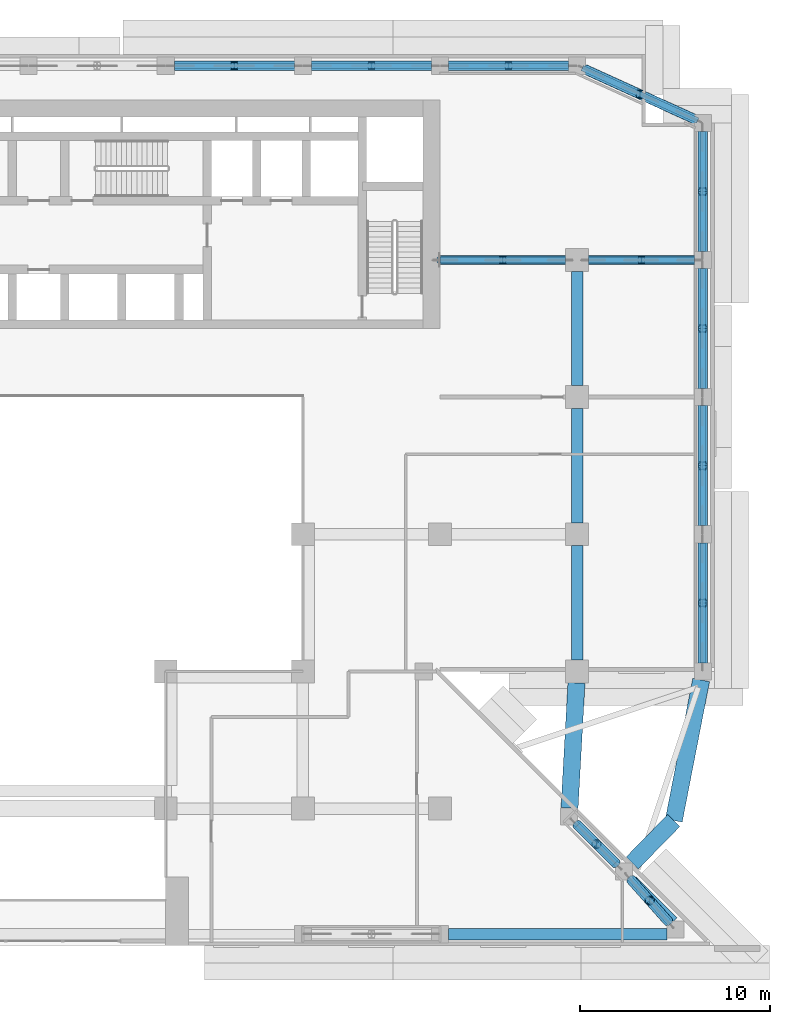
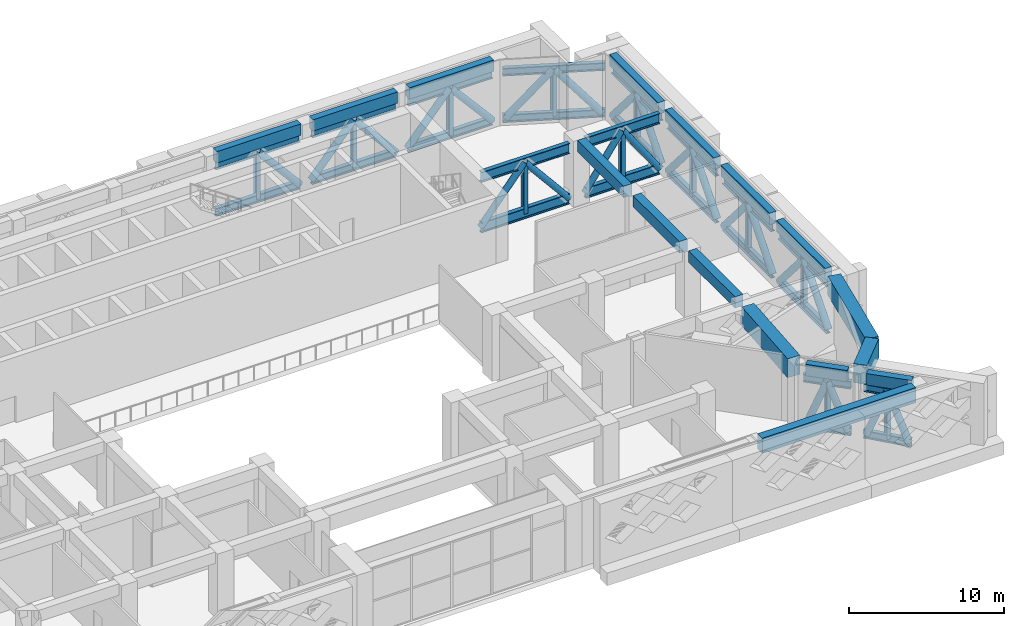
# One storey, part 7 of 19: 59 members, 16 beams.
"""IFC4 building model written with IfcOpenShell, lengths in metres."""

from ifc_helpers import new_model, si_unit, direction, frame, origin, origin_2d, place, context, subcontext, project, spatial, rectangle, hollow_circle, i_section, extrude, source, transform, mapped, material, material_profile, profile_set, type_object, element, save


model = new_model("IFC4")

# Units and contexts
model_context = context("Model", 3, precision=1e-05, world=origin(), true_north=direction((0.0, 1.0)))
body_context = subcontext(model_context, "Body", "Model", "MODEL_VIEW")
ifc_project = project(units=[si_unit("LENGTHUNIT", "METRE"), si_unit("AREAUNIT", "SQUARE_METRE"), si_unit("VOLUMEUNIT", "CUBIC_METRE"), si_unit("PLANEANGLEUNIT", "RADIAN"), si_unit("MASSUNIT", "GRAM", prefix="KILO")], contexts=[model_context])

# Site, building, storey
site_placement = place(None, origin())
site = spatial("IfcSite", under=ifc_project, at=site_placement, CompositionType="ELEMENT")
building_placement = place(site_placement, origin())
building = spatial("IfcBuilding", under=site, at=building_placement, Name="Saffron Iwan Residences", CompositionType="ELEMENT")
storey_placement = place(building_placement, frame((0.0, 0.0, 107.5)))
storey = spatial("IfcBuildingStorey", under=building, at=storey_placement, Name="L28", CompositionType="ELEMENT", Elevation=107.5)

# Beams
ifc_material_1 = material(Name="Concrete C60/75", Category="concrete")
ifc_material_profile_1 = material_profile(ifc_material_1, rectangle(XDim=0.5, YDim=0.89990234375, at=origin_2d()), Name="RC 500x900")
ifc_profile_set_1 = profile_set([ifc_material_profile_1], Name="Concrete C60/75")
beam_type_1 = type_object("IfcBeamType", Name="SPANDREL BEAM RC 500x900 C60/75 TOP 5200", PredefinedType="SPANDREL", material=ifc_profile_set_1)
shared_shape_1 = source(origin(), body_context, "Body", "SweptSolid", [
    extrude(rectangle(XDim=0.5, YDim=0.89990234375, at=origin_2d()), origin(), (0.0, 0.0, 1.0), 6.300048828125),
])
for number, where, z_axis, x_axis, name in (
    (1, (85.800048828125, 54.75, 4.75), (0.0, -1.0, 0.0), (1.0, 0.0, 0.0), "Spandrel beam"),
    (2, (85.800048828125, 61.949951171875, 4.75), (0.0, -1.0, 0.0), (1.0, 0.0, 0.0), "Spandrel beam"),
    (3, (85.800048828125, 76.35009765625, 4.75), (0.0, -1.0, 0.0), (1.0, 0.0, 0.0), "Spandrel beam"),
    (4, (58.050048828125, 79.800048828125, 4.75), (1.0, 0.0, 0.0), (0.0, 1.0, 0.0), "Spandrel beam"),
    (5, (65.25, 79.800048828125, 4.75), (1.0, 0.0, 0.0), (0.0, 1.0, 0.0), "Spandrel beam"),
    (6, (72.449951171875, 79.800048828125, 4.75), (1.0, 0.0, 0.0), (0.0, 1.0, 0.0), "Spandrel beam"),
):
    element("IfcBeam", number, at=place(storey_placement, frame(where, z_axis=z_axis, x_axis=x_axis)), inside=storey, type_object=beam_type_1, Name=name, PredefinedType="SPANDREL", context=body_context, shape_type="MappedRepresentation", body=[
        mapped(shared_shape_1, transform((0.0, 0.0, 0.0))),
    ])
shared_shape_2 = source(origin(), body_context, "Body", "SweptSolid", [
    extrude(rectangle(XDim=0.5, YDim=0.89990234375, at=origin_2d()), origin(), (0.0, 0.0, 1.0), 3.046142578125),
])
beam_1_placement = place(storey_placement, frame((82.105712890625, 37.0458984375, 4.75), z_axis=(0.707066705991, -0.70714685411, 0.0), x_axis=(0.70714685411, 0.707066705991, 0.0)))
element("IfcBeam", 7, at=beam_1_placement, inside=storey, type_object=beam_type_1, Name="Spandrel beam", PredefinedType="SPANDREL", context=body_context, shape_type="MappedRepresentation", body=[
    mapped(shared_shape_2, transform((0.0, 0.0, 0.0))),
])
shared_shape_3 = source(origin(), body_context, "Body", "SweptSolid", [
    extrude(rectangle(XDim=0.5, YDim=0.89990234375, at=origin_2d()), origin(), (0.0, 0.0, 1.0), 2.80029296875),
])
beam_2_placement = place(storey_placement, frame((79.2255859375, 39.92578125, 4.75), z_axis=(0.707150371901, -0.707063187784, 0.0), x_axis=(0.707063187784, 0.707150371901, 0.0)))
element("IfcBeam", 8, at=beam_2_placement, inside=storey, type_object=beam_type_1, Name="Spandrel beam", PredefinedType="SPANDREL", context=body_context, shape_type="MappedRepresentation", body=[
    mapped(shared_shape_3, transform((0.0, 0.0, 0.0))),
])
shared_shape_4 = source(origin(), body_context, "Body", "SweptSolid", [
    extrude(rectangle(XDim=0.5, YDim=0.89990234375, at=origin_2d()), origin(), (0.0, 0.0, 1.0), 6.2998046875),
])
beam_3_placement = place(storey_placement, frame((85.800048828125, 69.14990234375, 4.75), z_axis=(0.0, -1.0, 0.0), x_axis=(1.0, 0.0, 0.0)))
element("IfcBeam", 9, at=beam_3_placement, inside=storey, type_object=beam_type_1, Name="Spandrel beam", PredefinedType="SPANDREL", context=body_context, shape_type="MappedRepresentation", body=[
    mapped(shared_shape_4, transform((0.0, 0.0, 0.0))),
])
ifc_material_profile_2 = material_profile(ifc_material_1, rectangle(XDim=0.60009765625, YDim=1.199951171875, at=origin_2d()), Name="RC 600x1200")
ifc_profile_set_2 = profile_set([ifc_material_profile_2], Name="Concrete C60/75")
beam_type_2 = type_object("IfcBeamType", Name="LINTEL BEAM RC 600x1200 C60/75 TOP 5200", PredefinedType="LINTEL", material=ifc_profile_set_2)
shared_shape_5 = source(origin(), body_context, "Body", "SweptSolid", [
    extrude(rectangle(XDim=0.60009765625, YDim=1.199951171875, at=origin_2d()), origin(), (0.0, 0.0, 1.0), 11.467529296875),
])
beam_4_placement = place(storey_placement, frame((83.91748046875, 34.199951171875, 4.60009765625), z_axis=(-1.0, 0.0, 0.0), x_axis=(0.0, -1.0, 0.0)))
element("IfcBeam", 10, at=beam_4_placement, inside=storey, type_object=beam_type_2, Name="Lintel beam over the iwan", PredefinedType="LINTEL", context=body_context, shape_type="MappedRepresentation", body=[
    mapped(shared_shape_5, transform((0.0, 0.0, 0.0))),
])
ifc_material_profile_3 = material_profile(ifc_material_1, rectangle(XDim=0.60009765625, YDim=0.89990234375, at=origin_2d()), Name="RC 600x900")
ifc_profile_set_3 = profile_set([ifc_material_profile_3], Name="Concrete C60/75")
beam_type_3 = type_object("IfcBeamType", Name="BEAM RC 600x900 C60/75 TOP 5200", PredefinedType="BEAM", material=ifc_profile_set_3)
shared_shape_6 = source(origin(), body_context, "Body", "SweptSolid", [
    extrude(rectangle(XDim=0.60009765625, YDim=0.89990234375, at=origin_2d()), origin(), (0.0, 0.0, 1.0), 6.0),
])
for number, where, z_axis, x_axis, name in (
    (11, (79.199951171875, 48.60009765625, 4.75), (0.0, 1.0, 0.0), (-1.0, 0.0, 0.0), "Floor beam"),
    (12, (79.199951171875, 55.800048828125, 4.75), (0.0, 1.0, 0.0), (-1.0, 0.0, 0.0), "Floor beam"),
    (13, (79.199951171875, 63.0, 4.75), (0.0, 1.0, 0.0), (-1.0, 0.0, 0.0), "Floor beam"),
):
    element("IfcBeam", number, at=place(storey_placement, frame(where, z_axis=z_axis, x_axis=x_axis)), inside=storey, type_object=beam_type_3, Name=name, PredefinedType="BEAM", context=body_context, shape_type="MappedRepresentation", body=[
        mapped(shared_shape_6, transform((0.0, 0.0, 0.0))),
    ])
ifc_material_profile_4 = material_profile(ifc_material_1, rectangle(XDim=0.89990234375, YDim=1.5, at=origin_2d()), Name="RC 900x1500")
ifc_profile_set_4 = profile_set([ifc_material_profile_4], Name="Concrete C60/75")
beam_type_4 = type_object("IfcBeamType", Name="TRANSFER GIRDER RC 900x1500 C60/75 TOP 5200", PredefinedType="BEAM", material=ifc_profile_set_4)
shared_shape_7 = source(origin(), body_context, "Body", "SweptSolid", [
    extrude(rectangle(XDim=0.89990234375, YDim=1.5, at=origin_2d()), origin(), (0.0, 0.0, 1.0), 3.11767578125),
])
beam_5_placement = place(storey_placement, frame((82.095947265625, 37.94580078125, 4.449951171875), z_axis=(0.699311553357, 0.714817005492, 0.0), x_axis=(-0.714817005492, 0.699311553357, 0.0)))
element("IfcBeam", 14, at=beam_5_placement, inside=storey, type_object=beam_type_4, Name="Transfer girder", PredefinedType="BEAM", context=body_context, shape_type="MappedRepresentation", body=[
    mapped(shared_shape_7, transform((0.0, 0.0, 0.0))),
])
shared_shape_8 = source(origin(), body_context, "Body", "SweptSolid", [
    extrude(rectangle(XDim=0.89990234375, YDim=1.5, at=origin_2d()), origin(), (0.0, 0.0, 1.0), 7.51416015625),
])
beam_6_placement = place(storey_placement, frame((85.71240234375, 47.550048828125, 4.449951171875), z_axis=(-0.191140105964, -0.981562764112, 0.0), x_axis=(0.981562764112, -0.191140105964, 0.0)))
element("IfcBeam", 15, at=beam_6_placement, inside=storey, type_object=beam_type_4, Name="Transfer girder", PredefinedType="BEAM", context=body_context, shape_type="MappedRepresentation", body=[
    mapped(shared_shape_8, transform((0.0, 0.0, 0.0))),
])
shared_shape_9 = source(origin(), body_context, "Body", "SweptSolid", [
    extrude(rectangle(XDim=0.89990234375, YDim=1.5, at=origin_2d()), origin(), (0.0, 0.0, 1.0), 6.58447265625),
])
beam_7_placement = place(storey_placement, frame((78.80078125, 40.82568359375, 4.449951171875), z_axis=(0.055543948769, 0.998456243285, 0.0), x_axis=(-0.998456243285, 0.055543948769, 0.0)))
element("IfcBeam", 16, at=beam_7_placement, inside=storey, type_object=beam_type_4, Name="Transfer girder", PredefinedType="BEAM", context=body_context, shape_type="MappedRepresentation", body=[
    mapped(shared_shape_9, transform((0.0, 0.0, 0.0))),
])

# Members
ifc_material_2 = material(Name="Steel S355", Category="steel")
ifc_material_profile_5 = material_profile(ifc_material_2, i_section(OverallWidth=0.304931640625, OverallDepth=0.6201171875, WebThickness=0.02099609375, FlangeThickness=0.0400390625, FilletRadius=0.027099609375, at=origin_2d()), Name="HE 600 M")
ifc_profile_set_5 = profile_set([ifc_material_profile_5], Name="Steel S355")
member_type_1 = type_object("IfcMemberType", Name="BELT TRUSS CHORD HE 600 M S355", PredefinedType="CHORD", material=ifc_profile_set_5)
shared_shape_10 = source(origin(), body_context, "Body", "SweptSolid", [
    extrude(i_section(OverallWidth=0.304931640625, OverallDepth=0.6201171875, WebThickness=0.02099609375, FlangeThickness=0.0400390625, FilletRadius=0.027099609375, at=origin_2d()), origin(), (0.0, 0.0, 1.0), 6.300048828125),
])
for number, where, z_axis, x_axis, name in (
    (17, (58.050048828125, 79.800048828125, 0.31005859375), (1.0, 0.0, 0.0), (0.0, 1.0, 0.0), "Belt truss chord L28"),
    (18, (58.050048828125, 79.800048828125, 3.989990234375), (1.0, 0.0, 0.0), (0.0, 1.0, 0.0), "Belt truss chord L28"),
    (19, (65.25, 79.800048828125, 0.31005859375), (1.0, 0.0, 0.0), (0.0, 1.0, 0.0), "Belt truss chord L28"),
    (20, (65.25, 79.800048828125, 3.989990234375), (1.0, 0.0, 0.0), (0.0, 1.0, 0.0), "Belt truss chord L28"),
    (21, (72.449951171875, 79.800048828125, 0.31005859375), (1.0, 0.0, 0.0), (0.0, 1.0, 0.0), "Belt truss chord L28"),
    (22, (72.449951171875, 79.800048828125, 3.989990234375), (1.0, 0.0, 0.0), (0.0, 1.0, 0.0), "Belt truss chord L28"),
    (23, (85.800048828125, 76.35009765625, 0.31005859375), (0.0, -1.0, 0.0), (1.0, 0.0, 0.0), "Belt truss chord L28"),
    (24, (85.800048828125, 76.35009765625, 3.989990234375), (0.0, -1.0, 0.0), (1.0, 0.0, 0.0), "Belt truss chord L28"),
    (25, (85.800048828125, 61.949951171875, 0.31005859375), (0.0, -1.0, 0.0), (1.0, 0.0, 0.0), "Belt truss chord L28"),
    (26, (85.800048828125, 61.949951171875, 3.989990234375), (0.0, -1.0, 0.0), (1.0, 0.0, 0.0), "Belt truss chord L28"),
    (27, (85.800048828125, 54.75, 0.31005859375), (0.0, -1.0, 0.0), (1.0, 0.0, 0.0), "Belt truss chord L28"),
    (28, (85.800048828125, 54.75, 3.989990234375), (0.0, -1.0, 0.0), (1.0, 0.0, 0.0), "Belt truss chord L28"),
):
    element("IfcMember", number, at=place(storey_placement, frame(where, z_axis=z_axis, x_axis=x_axis)), inside=storey, type_object=member_type_1, Name=name, PredefinedType="CHORD", context=body_context, shape_type="MappedRepresentation", body=[
        mapped(shared_shape_10, transform((0.0, 0.0, 0.0))),
    ])
ifc_material_profile_6 = material_profile(ifc_material_2, hollow_circle(Radius=0.25390625, WallThickness=0.01611328125, at=origin_2d()), Name="CHS 508x16")
ifc_profile_set_6 = profile_set([ifc_material_profile_6], Name="Steel S355")
member_type_2 = type_object("IfcMemberType", Name="BELT TRUSS DIAGONAL CHS 508x16 S355", PredefinedType="BRACE", material=ifc_profile_set_6)
shared_shape_11 = source(origin(), body_context, "Body", "SweptSolid", [
    extrude(hollow_circle(Radius=0.25390625, WallThickness=0.01611328125, at=origin_2d()), origin(), (0.0, 0.0, 1.0), 4.843994140625),
])
for number, where, z_axis, x_axis, name in (
    (29, (61.199951171875, 79.800048828125, 3.989990234375), (0.650305625683, 0.0, -0.759672688206), (0.0, 1.0, 0.0), "Belt truss diagonal L28"),
    (30, (65.25, 79.800048828125, 0.31005859375), (0.650276538531, 0.0, 0.75969758683), (0.0, 1.0, 0.0), "Belt truss diagonal L28"),
    (31, (68.39990234375, 79.800048828125, 3.989990234375), (0.650305625683, 0.0, -0.759672688206), (0.0, 1.0, 0.0), "Belt truss diagonal L28"),
    (32, (72.449951171875, 79.800048828125, 0.31005859375), (0.650305625683, 0.0, 0.759672688206), (0.0, 1.0, 0.0), "Belt truss diagonal L28"),
    (33, (75.60009765625, 79.800048828125, 3.989990234375), (0.650276538531, 0.0, -0.75969758683), (0.0, 1.0, 0.0), "Belt truss diagonal L28"),
    (34, (85.800048828125, 76.35009765625, 0.31005859375), (0.0, -0.650305625683, 0.759672688206), (1.0, 0.0, 0.0), "Belt truss diagonal L28"),
    (35, (85.800048828125, 73.199951171875, 3.989990234375), (0.0, -0.650276538531, -0.75969758683), (1.0, 0.0, 0.0), "Belt truss diagonal L28"),
    (36, (85.800048828125, 69.14990234375, 0.31005859375), (0.0, -0.650276538531, 0.75969758683), (1.0, 0.0, 0.0), "Belt truss diagonal L28"),
    (37, (85.800048828125, 66.0, 3.989990234375), (0.0, -0.650276538531, -0.75969758683), (1.0, 0.0, 0.0), "Belt truss diagonal L28"),
    (38, (85.800048828125, 61.949951171875, 0.31005859375), (0.0, -0.650276538531, 0.75969758683), (1.0, 0.0, 0.0), "Belt truss diagonal L28"),
    (39, (85.800048828125, 58.800048828125, 3.989990234375), (0.0, -0.650305625683, -0.759672688206), (1.0, 0.0, 0.0), "Belt truss diagonal L28"),
    (40, (85.800048828125, 54.75, 0.31005859375), (0.0, -0.650276538531, 0.75969758683), (1.0, 0.0, 0.0), "Belt truss diagonal L28"),
    (41, (85.800048828125, 51.60009765625, 3.989990234375), (0.0, -0.650305625683, -0.759672688206), (1.0, 0.0, 0.0), "Belt truss diagonal L28"),
):
    element("IfcMember", number, at=place(storey_placement, frame(where, z_axis=z_axis, x_axis=x_axis)), inside=storey, type_object=member_type_2, Name=name, PredefinedType="BRACE", context=body_context, shape_type="MappedRepresentation", body=[
        mapped(shared_shape_11, transform((0.0, 0.0, 0.0))),
    ])
ifc_material_profile_7 = material_profile(ifc_material_2, i_section(OverallWidth=0.300048828125, OverallDepth=0.39990234375, WebThickness=0.013427734375, FlangeThickness=0.02392578125, FilletRadius=0.027099609375, at=origin_2d()), Name="HE 400 B")
ifc_profile_set_7 = profile_set([ifc_material_profile_7], Name="Steel S355")
member_type_3 = type_object("IfcMemberType", Name="BELT TRUSS POST HE 400 B S355", PredefinedType="POST", material=ifc_profile_set_7)
shared_shape_12 = source(origin(), body_context, "Body", "SweptSolid", [
    extrude(i_section(OverallWidth=0.300048828125, OverallDepth=0.39990234375, WebThickness=0.013427734375, FlangeThickness=0.02392578125, FilletRadius=0.027099609375, at=origin_2d()), origin(), (0.0, 0.0, 1.0), 3.679931640625),
])
for number, where, z_axis, x_axis, name in (
    (42, (61.199951171875, 79.800048828125, 0.31005859375), (0.0, 0.0, 1.0), (1.0, 0.0, 0.0), "Belt truss post L28"),
    (43, (68.39990234375, 79.800048828125, 0.31005859375), (0.0, 0.0, 1.0), (1.0, 0.0, 0.0), "Belt truss post L28"),
    (44, (75.60009765625, 79.800048828125, 0.31005859375), (0.0, 0.0, 1.0), (1.0, 0.0, 0.0), "Belt truss post L28"),
    (45, (82.5, 78.300048828125, 0.31005859375), (0.0, 0.0, 1.0), (1.0, 0.0, 0.0), "Belt truss post L28"),
    (46, (85.800048828125, 73.199951171875, 0.31005859375), (0.0, 0.0, 1.0), (1.0, 0.0, 0.0), "Belt truss post L28"),
    (47, (85.800048828125, 66.0, 0.31005859375), (0.0, 0.0, 1.0), (1.0, 0.0, 0.0), "Belt truss post L28"),
    (48, (85.800048828125, 58.800048828125, 0.31005859375), (0.0, 0.0, 1.0), (1.0, 0.0, 0.0), "Belt truss post L28"),
    (49, (85.800048828125, 51.60009765625, 0.31005859375), (0.0, 0.0, 1.0), (1.0, 0.0, 0.0), "Belt truss post L28"),
    (50, (80.2158203125, 38.935791015625, 0.31005859375), (0.0, 0.0, 1.0), (1.0, 0.0, 0.0), "Belt truss post L28"),
    (51, (83.01171875, 35.96875, 0.31005859375), (0.0, 0.0, 1.0), (1.0, 0.0, 0.0), "Belt truss post L28"),
):
    element("IfcMember", number, at=place(storey_placement, frame(where, z_axis=z_axis, x_axis=x_axis)), inside=storey, type_object=member_type_3, Name=name, PredefinedType="POST", context=body_context, shape_type="MappedRepresentation", body=[
        mapped(shared_shape_12, transform((0.0, 0.0, 0.0))),
    ])
shared_shape_13 = source(origin(), body_context, "Body", "SweptSolid", [
    extrude(i_section(OverallWidth=0.304931640625, OverallDepth=0.6201171875, WebThickness=0.02099609375, FlangeThickness=0.0400390625, FilletRadius=0.027099609375, at=origin_2d()), origin(), (0.0, 0.0, 1.0), 6.2998046875),
])
for number, where, z_axis, x_axis, name in (
    (52, (85.800048828125, 69.14990234375, 0.31005859375), (0.0, -1.0, 0.0), (1.0, 0.0, 0.0), "Belt truss chord L28"),
    (53, (85.800048828125, 69.14990234375, 3.989990234375), (0.0, -1.0, 0.0), (1.0, 0.0, 0.0), "Belt truss chord L28"),
):
    element("IfcMember", number, at=place(storey_placement, frame(where, z_axis=z_axis, x_axis=x_axis)), inside=storey, type_object=member_type_1, Name=name, PredefinedType="CHORD", context=body_context, shape_type="MappedRepresentation", body=[
        mapped(shared_shape_13, transform((0.0, 0.0, 0.0))),
    ])
shared_shape_14 = source(origin(), body_context, "Body", "SweptSolid", [
    extrude(hollow_circle(Radius=0.25390625, WallThickness=0.01611328125, at=origin_2d()), origin(), (0.0, 0.0, 1.0), 4.83154296875),
])
for number, where, z_axis, x_axis, name in (
    (54, (79.64990234375, 79.595458984375, 0.31005859375), (0.589903570145, -0.268119611375, 0.76165980065), (0.413779442344, 0.910377159804, 0.0), "Belt truss diagonal L28"),
    (55, (82.5, 78.300048828125, 3.989990234375), (0.589895577269, -0.268166509214, -0.761649480571), (0.413844070736, 0.910347782508, 0.0), "Belt truss diagonal L28"),
):
    element("IfcMember", number, at=place(storey_placement, frame(where, z_axis=z_axis, x_axis=x_axis)), inside=storey, type_object=member_type_2, Name=name, PredefinedType="BRACE", context=body_context, shape_type="MappedRepresentation", body=[
        mapped(shared_shape_14, transform((0.0, 0.0, 0.0))),
    ])
shared_shape_15 = source(origin(), body_context, "Body", "SweptSolid", [
    extrude(i_section(OverallWidth=0.304931640625, OverallDepth=0.6201171875, WebThickness=0.02099609375, FlangeThickness=0.0400390625, FilletRadius=0.027099609375, at=origin_2d()), origin(), (0.0, 0.0, 1.0), 6.665771484375),
])
for number, where, z_axis, x_axis, name in (
    (56, (79.4658203125, 79.67919921875, 0.31005859375), (0.910368986057, -0.413797425349, 0.0), (0.413797425349, 0.910368986057, 0.0), "Belt truss chord L28"),
    (57, (79.4658203125, 79.67919921875, 3.989990234375), (0.910368986057, -0.413797425349, 0.0), (0.413797425349, 0.910368986057, 0.0), "Belt truss chord L28"),
):
    element("IfcMember", number, at=place(storey_placement, frame(where, z_axis=z_axis, x_axis=x_axis)), inside=storey, type_object=member_type_1, Name=name, PredefinedType="CHORD", context=body_context, shape_type="MappedRepresentation", body=[
        mapped(shared_shape_15, transform((0.0, 0.0, 0.0))),
    ])
shared_shape_16 = source(origin(), body_context, "Body", "SweptSolid", [
    extrude(i_section(OverallWidth=0.304931640625, OverallDepth=0.6201171875, WebThickness=0.02099609375, FlangeThickness=0.0400390625, FilletRadius=0.027099609375, at=origin_2d()), origin(), (0.0, 0.0, 1.0), 3.205078125),
])
for number, where, z_axis, x_axis, name in (
    (58, (79.08251953125, 40.06884765625, 0.31005859375), (0.707106781187, -0.707106781187, 0.0), (0.707106781187, 0.707106781187, 0.0), "Belt truss chord L28"),
    (59, (79.08251953125, 40.06884765625, 3.989990234375), (0.707106781187, -0.707106781187, 0.0), (0.707106781187, 0.707106781187, 0.0), "Belt truss chord L28"),
):
    element("IfcMember", number, at=place(storey_placement, frame(where, z_axis=z_axis, x_axis=x_axis)), inside=storey, type_object=member_type_1, Name=name, PredefinedType="CHORD", context=body_context, shape_type="MappedRepresentation", body=[
        mapped(shared_shape_16, transform((0.0, 0.0, 0.0))),
    ])
shared_shape_17 = source(origin(), body_context, "Body", "SweptSolid", [
    extrude(hollow_circle(Radius=0.25390625, WallThickness=0.01611328125, at=origin_2d()), origin(), (0.0, 0.0, 1.0), 3.937255859375),
])
for number, where, z_axis, x_axis, name in (
    (60, (79.2255859375, 39.92578125, 0.31005859375), (0.251499163432, -0.251437156735, 0.934626945367), (0.707019597071, 0.707193954554, 0.0), "Belt truss diagonal L28"),
    (61, (80.2158203125, 38.935791015625, 3.989990234375), (0.251441077413, -0.251441077413, -0.934641519075), (0.707106781187, 0.707106781187, 0.0), "Belt truss diagonal L28"),
):
    element("IfcMember", number, at=place(storey_placement, frame(where, z_axis=z_axis, x_axis=x_axis)), inside=storey, type_object=member_type_2, Name=name, PredefinedType="BRACE", context=body_context, shape_type="MappedRepresentation", body=[
        mapped(shared_shape_17, transform((0.0, 0.0, 0.0))),
    ])
shared_shape_18 = source(origin(), body_context, "Body", "SweptSolid", [
    extrude(i_section(OverallWidth=0.304931640625, OverallDepth=0.6201171875, WebThickness=0.02099609375, FlangeThickness=0.0400390625, FilletRadius=0.027099609375, at=origin_2d()), origin(), (0.0, 0.0, 1.0), 3.285400390625),
])
for number, where, z_axis, x_axis, name in (
    (62, (81.9208984375, 37.197021484375, 0.31005859375), (0.663990138849, -0.747741329278, 0.0), (0.747741329278, 0.663990138849, 0.0), "Belt truss chord L28"),
    (63, (81.9208984375, 37.197021484375, 3.989990234375), (0.663990138849, -0.747741329278, 0.0), (0.747741329278, 0.663990138849, 0.0), "Belt truss chord L28"),
):
    element("IfcMember", number, at=place(storey_placement, frame(where, z_axis=z_axis, x_axis=x_axis)), inside=storey, type_object=member_type_1, Name=name, PredefinedType="CHORD", context=body_context, shape_type="MappedRepresentation", body=[
        mapped(shared_shape_18, transform((0.0, 0.0, 0.0))),
    ])
shared_shape_19 = source(origin(), body_context, "Body", "SweptSolid", [
    extrude(hollow_circle(Radius=0.25390625, WallThickness=0.01611328125, at=origin_2d()), origin(), (0.0, 0.0, 1.0), 3.95166015625),
])
for number, where, z_axis, x_axis, name in (
    (64, (82.055419921875, 37.045654296875, 0.31005859375), (0.241995313094, -0.272515018141, 0.931221688605), (0.747736569856, 0.663995498555, 0.0), "Belt truss diagonal L28"),
    (65, (83.01171875, 35.96875, 3.989990234375), (0.241995313094, -0.272515018141, -0.931221688605), (0.747736569856, 0.663995498555, 0.0), "Belt truss diagonal L28"),
):
    element("IfcMember", number, at=place(storey_placement, frame(where, z_axis=z_axis, x_axis=x_axis)), inside=storey, type_object=member_type_2, Name=name, PredefinedType="BRACE", context=body_context, shape_type="MappedRepresentation", body=[
        mapped(shared_shape_19, transform((0.0, 0.0, 0.0))),
    ])
ifc_material_profile_8 = material_profile(ifc_material_2, i_section(OverallWidth=0.302978515625, OverallDepth=0.81396484375, WebThickness=0.02099609375, FlangeThickness=0.0400390625, FilletRadius=0.030029296875, at=origin_2d()), Name="HE 800 M")
ifc_profile_set_8 = profile_set([ifc_material_profile_8], Name="Steel S355")
member_type_4 = type_object("IfcMemberType", Name="OUTRIGGER TRUSS CHORD HE 800 M S355", PredefinedType="CHORD", material=ifc_profile_set_8)
shared_shape_20 = source(origin(), body_context, "Body", "SweptSolid", [
    extrude(i_section(OverallWidth=0.302978515625, OverallDepth=0.81396484375, WebThickness=0.02099609375, FlangeThickness=0.0400390625, FilletRadius=0.030029296875, at=origin_2d()), origin(), (0.0, 0.0, 1.0), 6.60009765625),
])
for number, where, z_axis, x_axis, name in (
    (66, (72.0, 69.60009765625, 0.406982421875), (1.0, 0.0, 0.0), (0.0, 1.0, 0.0), "Outrigger truss chord L28"),
    (67, (72.0, 69.60009765625, 4.39306640625), (1.0, 0.0, 0.0), (0.0, 1.0, 0.0), "Outrigger truss chord L28"),
):
    element("IfcMember", number, at=place(storey_placement, frame(where, z_axis=z_axis, x_axis=x_axis)), inside=storey, type_object=member_type_4, Name=name, PredefinedType="CHORD", context=body_context, shape_type="MappedRepresentation", body=[
        mapped(shared_shape_20, transform((0.0, 0.0, 0.0))),
    ])
ifc_material_profile_9 = material_profile(ifc_material_2, hollow_circle(Radius=0.228515625, WallThickness=0.01611328125, at=origin_2d()), Name="CHS 457x16")
ifc_profile_set_9 = profile_set([ifc_material_profile_9], Name="Steel S355")
member_type_5 = type_object("IfcMemberType", Name="OUTRIGGER TRUSS DIAGONAL CHS 457x16 S355", PredefinedType="BRACE", material=ifc_profile_set_9)
shared_shape_21 = source(origin(), body_context, "Body", "SweptSolid", [
    extrude(hollow_circle(Radius=0.228515625, WallThickness=0.01611328125, at=origin_2d()), origin(), (0.0, 0.0, 1.0), 5.1748046875),
])
for number, where, z_axis, x_axis, name in (
    (68, (72.0, 69.60009765625, 0.406982421875), (0.637707706558, 0.0, 0.770278443809), (0.0, 1.0, 0.0), "Outrigger truss diagonal L28"),
    (69, (75.300048828125, 69.60009765625, 4.39306640625), (0.637707706558, 0.0, -0.770278443809), (0.0, 1.0, 0.0), "Outrigger truss diagonal L28"),
):
    element("IfcMember", number, at=place(storey_placement, frame(where, z_axis=z_axis, x_axis=x_axis)), inside=storey, type_object=member_type_5, Name=name, PredefinedType="BRACE", context=body_context, shape_type="MappedRepresentation", body=[
        mapped(shared_shape_21, transform((0.0, 0.0, 0.0))),
    ])
ifc_material_profile_10 = material_profile(ifc_material_2, i_section(OverallWidth=0.300048828125, OverallDepth=0.39990234375, WebThickness=0.013427734375, FlangeThickness=0.02392578125, FilletRadius=0.027099609375, at=origin_2d()), Name="HE 400 B")
ifc_profile_set_10 = profile_set([ifc_material_profile_10], Name="Steel S355")
member_type_6 = type_object("IfcMemberType", Name="OUTRIGGER TRUSS POST HE 400 B S355", PredefinedType="POST", material=ifc_profile_set_10)
shared_shape_22 = source(origin(), body_context, "Body", "SweptSolid", [
    extrude(i_section(OverallWidth=0.300048828125, OverallDepth=0.39990234375, WebThickness=0.013427734375, FlangeThickness=0.02392578125, FilletRadius=0.027099609375, at=origin_2d()), origin(), (0.0, 0.0, 1.0), 3.986083984375),
])
for number, where, z_axis, x_axis, name in (
    (70, (75.300048828125, 69.60009765625, 0.406982421875), (0.0, 0.0, 1.0), (1.0, 0.0, 0.0), "Outrigger truss post L28"),
    (71, (82.574951171875, 69.60009765625, 0.406982421875), (0.0, 0.0, 1.0), (1.0, 0.0, 0.0), "Outrigger truss post L28"),
):
    element("IfcMember", number, at=place(storey_placement, frame(where, z_axis=z_axis, x_axis=x_axis)), inside=storey, type_object=member_type_6, Name=name, PredefinedType="POST", context=body_context, shape_type="MappedRepresentation", body=[
        mapped(shared_shape_22, transform((0.0, 0.0, 0.0))),
    ])
shared_shape_23 = source(origin(), body_context, "Body", "SweptSolid", [
    extrude(i_section(OverallWidth=0.302978515625, OverallDepth=0.81396484375, WebThickness=0.02099609375, FlangeThickness=0.0400390625, FilletRadius=0.030029296875, at=origin_2d()), origin(), (0.0, 0.0, 1.0), 5.550048828125),
])
for number, where, z_axis, x_axis, name in (
    (72, (79.800048828125, 69.60009765625, 0.406982421875), (1.0, 0.0, 0.0), (0.0, 1.0, 0.0), "Outrigger truss chord L28"),
    (73, (79.800048828125, 69.60009765625, 4.39306640625), (1.0, 0.0, 0.0), (0.0, 1.0, 0.0), "Outrigger truss chord L28"),
):
    element("IfcMember", number, at=place(storey_placement, frame(where, z_axis=z_axis, x_axis=x_axis)), inside=storey, type_object=member_type_4, Name=name, PredefinedType="CHORD", context=body_context, shape_type="MappedRepresentation", body=[
        mapped(shared_shape_23, transform((0.0, 0.0, 0.0))),
    ])
shared_shape_24 = source(origin(), body_context, "Body", "SweptSolid", [
    extrude(hollow_circle(Radius=0.228515625, WallThickness=0.01611328125, at=origin_2d()), origin(), (0.0, 0.0, 1.0), 4.85693359375),
])
for number, where, z_axis, x_axis, name in (
    (74, (79.800048828125, 69.60009765625, 0.406982421875), (0.571338397305, 0.0, 0.820714588493), (0.0, 1.0, 0.0), "Outrigger truss diagonal L28"),
    (75, (82.574951171875, 69.60009765625, 4.39306640625), (0.57137225453, 0.0, -0.820691017834), (0.0, 1.0, 0.0), "Outrigger truss diagonal L28"),
):
    element("IfcMember", number, at=place(storey_placement, frame(where, z_axis=z_axis, x_axis=x_axis)), inside=storey, type_object=member_type_5, Name=name, PredefinedType="BRACE", context=body_context, shape_type="MappedRepresentation", body=[
        mapped(shared_shape_24, transform((0.0, 0.0, 0.0))),
    ])

save(model, "model.ifc")
